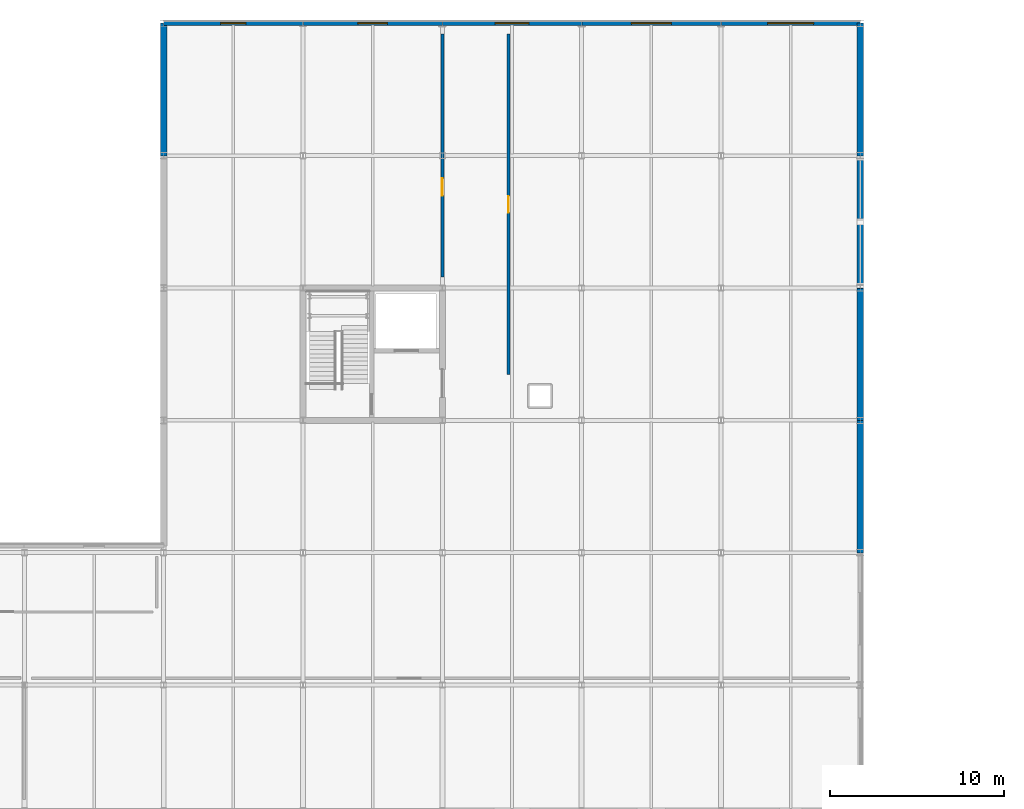
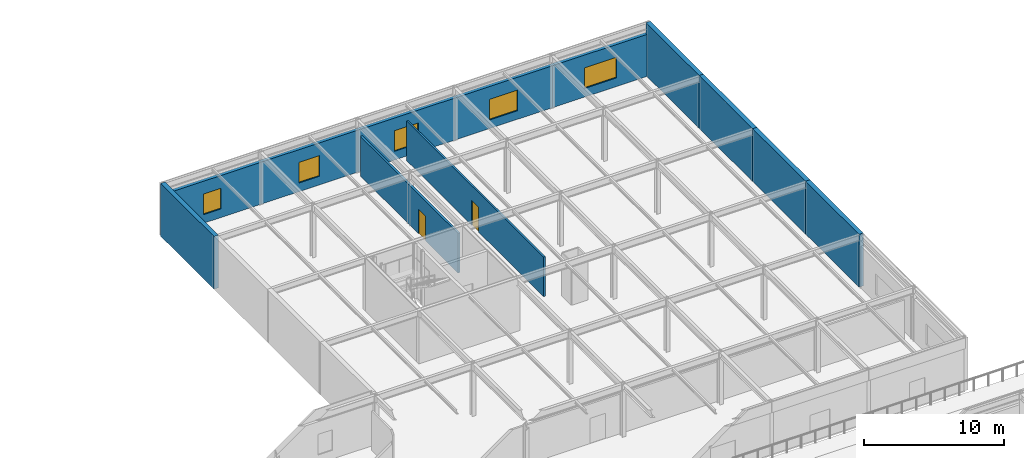
# One storey, part 87 of 100: 12 walls, 5 windows, 2 doors, 7 openings.
"""IFC4 building model written with IfcOpenShell, lengths in metres."""

from ifc_helpers import new_model, si_unit, direction, frame, frame_2d, origin, place, context, subcontext, project, spatial, rectangle, extrude, material, layer, layer_set, type_object, element, fill, save


model = new_model("IFC4")

# Units and contexts
model_context = context("Model", 3, precision=1e-05, world=origin(), true_north=direction((0.0, 1.0)))
body_context = subcontext(model_context, "Body", "Model", "MODEL_VIEW")
ifc_project = project(units=[si_unit("LENGTHUNIT", "METRE"), si_unit("AREAUNIT", "SQUARE_METRE"), si_unit("VOLUMEUNIT", "CUBIC_METRE"), si_unit("PLANEANGLEUNIT", "RADIAN"), si_unit("MASSUNIT", "GRAM", prefix="KILO")], contexts=[model_context])

# Site, building, storey
site_placement = place(None, origin())
site = spatial("IfcSite", under=ifc_project, at=site_placement, CompositionType="ELEMENT")
building_placement = place(site_placement, origin())
building = spatial("IfcBuilding", under=site, at=building_placement, Name="Zulena Civic Courthouse", CompositionType="ELEMENT")
storey_placement = place(building_placement, frame((0.0, 0.0, 20.39990234375)))
storey = spatial("IfcBuildingStorey", under=building, at=storey_placement, Name="L04", CompositionType="ELEMENT", Elevation=20.39990234375)

# Wall, opening, window
ifc_material_1 = material(Name="Buff architectural precast concrete C40/50", Category="concrete")
ifc_layer_1 = layer(ifc_material_1, 0.264892578125)
ifc_layer_set_1 = layer_set([ifc_layer_1], Name="Buff architectural precast concrete C40/50")
wall_type_1 = type_object("IfcWallType", Name="ExtWall_BuffPrecast_265", PredefinedType="STANDARD", material=ifc_layer_set_1)
wall_1_placement = place(storey_placement, frame((67.97998046875, 91.199951171875, 0.0), z_axis=(0.0, 0.0, 1.0), x_axis=(1.0, 0.0, 0.0)))
wall_1 = element("IfcWall", 1, at=wall_1_placement, inside=storey, type_object=wall_type_1, Name="ewall:V5:L04:3:0", PredefinedType="STANDARD", context=body_context, shape_type="SweptSolid", body=[
    extrude(rectangle(XDim=8.0400390625, YDim=0.264892578125, at=frame_2d((4.02001953125, 0.0))), origin(), (0.0, 0.0, 1.0), 3.66015625),
])
opening_1_placement = place(wall_1_placement, frame((3.294921875, 0.0, 0.75)))
opening_1 = element("IfcOpeningElement", 2, at=opening_1_placement, cuts=wall_1, Name="Opening WN17", PredefinedType="OPENING", context=body_context, shape_type="SweptSolid", body=[
    extrude(rectangle(XDim=1.449951171875, YDim=1.800048828125, at=frame_2d((0.72509765625, 0.89990234375))), frame((0.0, 0.142333984375, 0.0), z_axis=(0.0, -1.0, 0.0), x_axis=(1.0, 0.0, 0.0)), (0.0, 0.0, 1.0), 0.284912109375),
])
ifc_material_2 = material(Name="Double-silver low-E laminated solar-control glass", Category="glass")
window_type_1 = type_object("IfcWindowType", Name="Win_1450x1800", PartitioningType="SINGLE_PANEL", PredefinedType="WINDOW", material=ifc_material_2)
window_1_placement = place(opening_1_placement, origin())
window_1 = element("IfcWindow", 3, at=window_1_placement, inside=storey, type_object=window_type_1, Name="win:V5:L04:3:0", OverallHeight=1.800048828125, OverallWidth=1.449951171875, PartitioningType="SINGLE_PANEL", PredefinedType="WINDOW", context=body_context, shape_type="SweptSolid", body=[
    extrude(rectangle(XDim=1.449951171875, YDim=1.800048828125, at=frame_2d((0.72509765625, 0.89990234375))), frame((0.0, 0.030029296875, 0.0), z_axis=(0.0, -1.0, 0.0), x_axis=(1.0, 0.0, 0.0)), (0.0, 0.0, 1.0), 0.06005859375),
])
fill(opening_1, window_1)

wall_2_placement = place(storey_placement, frame((75.97998046875, 91.199951171875, 0.0), z_axis=(0.0, 0.0, 1.0), x_axis=(1.0, 0.0, 0.0)))
wall_2 = element("IfcWall", 4, at=wall_2_placement, inside=storey, type_object=wall_type_1, Name="ewall:V5:L04:3:1", PredefinedType="STANDARD", context=body_context, shape_type="SweptSolid", body=[
    extrude(rectangle(XDim=8.0400390625, YDim=0.264892578125, at=frame_2d((4.02001953125, 0.0))), origin(), (0.0, 0.0, 1.0), 3.66015625),
])
opening_2_placement = place(wall_2_placement, frame((3.169921875, 0.0, 0.75)))
opening_2 = element("IfcOpeningElement", 5, at=opening_2_placement, cuts=wall_2, Name="Opening WN18", PredefinedType="OPENING", context=body_context, shape_type="SweptSolid", body=[
    extrude(rectangle(XDim=1.699951171875, YDim=1.800048828125, at=frame_2d((0.85009765625, 0.89990234375))), frame((0.0, 0.142333984375, 0.0), z_axis=(0.0, -1.0, 0.0), x_axis=(1.0, 0.0, 0.0)), (0.0, 0.0, 1.0), 0.284912109375),
])
window_type_2 = type_object("IfcWindowType", Name="Win_1700x1800", PartitioningType="SINGLE_PANEL", PredefinedType="WINDOW", material=ifc_material_2)
window_2_placement = place(opening_2_placement, origin())
window_2 = element("IfcWindow", 6, at=window_2_placement, inside=storey, type_object=window_type_2, Name="win:V5:L04:3:1", OverallHeight=1.800048828125, OverallWidth=1.699951171875, PartitioningType="SINGLE_PANEL", PredefinedType="WINDOW", context=body_context, shape_type="SweptSolid", body=[
    extrude(rectangle(XDim=1.699951171875, YDim=1.800048828125, at=frame_2d((0.85009765625, 0.89990234375))), frame((0.0, 0.030029296875, 0.0), z_axis=(0.0, -1.0, 0.0), x_axis=(1.0, 0.0, 0.0)), (0.0, 0.0, 1.0), 0.06005859375),
])
fill(opening_2, window_2)

wall_3_placement = place(storey_placement, frame((83.97998046875, 91.199951171875, 0.0), z_axis=(0.0, 0.0, 1.0), x_axis=(1.0, 0.0, 0.0)))
wall_3 = element("IfcWall", 7, at=wall_3_placement, inside=storey, type_object=wall_type_1, Name="ewall:V5:L04:3:2", PredefinedType="STANDARD", context=body_context, shape_type="SweptSolid", body=[
    extrude(rectangle(XDim=8.0400390625, YDim=0.264892578125, at=frame_2d((4.02001953125, 0.0))), origin(), (0.0, 0.0, 1.0), 3.66015625),
])
opening_3_placement = place(wall_3_placement, frame((3.044921875, 0.0, 0.75)))
opening_3 = element("IfcOpeningElement", 8, at=opening_3_placement, cuts=wall_3, Name="Opening WN19", PredefinedType="OPENING", context=body_context, shape_type="SweptSolid", body=[
    extrude(rectangle(XDim=1.949951171875, YDim=1.800048828125, at=frame_2d((0.97509765625, 0.89990234375))), frame((0.0, 0.142333984375, 0.0), z_axis=(0.0, -1.0, 0.0), x_axis=(1.0, 0.0, 0.0)), (0.0, 0.0, 1.0), 0.284912109375),
])
window_type_3 = type_object("IfcWindowType", Name="Win_1950x1800", PartitioningType="DOUBLE_PANEL_VERTICAL", PredefinedType="WINDOW", material=ifc_material_2)
window_3_placement = place(opening_3_placement, origin())
window_3 = element("IfcWindow", 9, at=window_3_placement, inside=storey, type_object=window_type_3, Name="win:V5:L04:3:2", OverallHeight=1.800048828125, OverallWidth=1.949951171875, PartitioningType="SINGLE_PANEL", PredefinedType="WINDOW", context=body_context, shape_type="SweptSolid", body=[
    extrude(rectangle(XDim=1.949951171875, YDim=1.800048828125, at=frame_2d((0.97509765625, 0.89990234375))), frame((0.0, 0.030029296875, 0.0), z_axis=(0.0, -1.0, 0.0), x_axis=(1.0, 0.0, 0.0)), (0.0, 0.0, 1.0), 0.06005859375),
])
fill(opening_3, window_3)

wall_4_placement = place(storey_placement, frame((91.97998046875, 91.199951171875, 0.0), z_axis=(0.0, 0.0, 1.0), x_axis=(1.0, 0.0, 0.0)))
wall_4 = element("IfcWall", 10, at=wall_4_placement, inside=storey, type_object=wall_type_1, Name="ewall:V5:L04:3:3", PredefinedType="STANDARD", context=body_context, shape_type="SweptSolid", body=[
    extrude(rectangle(XDim=8.0400390625, YDim=0.264892578125, at=frame_2d((4.02001953125, 0.0))), origin(), (0.0, 0.0, 1.0), 3.66015625),
])
opening_4_placement = place(wall_4_placement, frame((2.8701171875, 0.0, 0.75)))
opening_4 = element("IfcOpeningElement", 11, at=opening_4_placement, cuts=wall_4, Name="Opening WN20", PredefinedType="OPENING", context=body_context, shape_type="SweptSolid", body=[
    extrude(rectangle(XDim=2.300048828125, YDim=1.800048828125, at=frame_2d((1.14990234375, 0.89990234375))), frame((0.0, 0.142333984375, 0.0), z_axis=(0.0, -1.0, 0.0), x_axis=(1.0, 0.0, 0.0)), (0.0, 0.0, 1.0), 0.284912109375),
])
window_type_4 = type_object("IfcWindowType", Name="Win_2300x1800", PartitioningType="DOUBLE_PANEL_VERTICAL", PredefinedType="WINDOW", material=ifc_material_2)
window_4_placement = place(opening_4_placement, origin())
window_4 = element("IfcWindow", 12, at=window_4_placement, inside=storey, type_object=window_type_4, Name="win:V5:L04:3:3", OverallHeight=1.800048828125, OverallWidth=2.300048828125, PartitioningType="SINGLE_PANEL", PredefinedType="WINDOW", context=body_context, shape_type="SweptSolid", body=[
    extrude(rectangle(XDim=2.300048828125, YDim=1.800048828125, at=frame_2d((1.14990234375, 0.89990234375))), frame((0.0, 0.030029296875, 0.0), z_axis=(0.0, -1.0, 0.0), x_axis=(1.0, 0.0, 0.0)), (0.0, 0.0, 1.0), 0.06005859375),
])
fill(opening_4, window_4)

wall_5_placement = place(storey_placement, frame((99.97998046875, 91.199951171875, 0.0), z_axis=(0.0, 0.0, 1.0), x_axis=(1.0, 0.0, 0.0)))
wall_5 = element("IfcWall", 13, at=wall_5_placement, inside=storey, type_object=wall_type_1, Name="ewall:V5:L04:3:4", PredefinedType="STANDARD", context=body_context, shape_type="SweptSolid", body=[
    extrude(rectangle(XDim=8.0400390625, YDim=0.264892578125, at=frame_2d((4.02001953125, 0.0))), origin(), (0.0, 0.0, 1.0), 3.66015625),
])
opening_5_placement = place(wall_5_placement, frame((2.695068359375, 0.0, 0.75)))
opening_5 = element("IfcOpeningElement", 14, at=opening_5_placement, cuts=wall_5, Name="Opening WN21", PredefinedType="OPENING", context=body_context, shape_type="SweptSolid", body=[
    extrude(rectangle(XDim=2.64990234375, YDim=1.800048828125, at=frame_2d((1.324951171875, 0.89990234375))), frame((0.0, 0.142333984375, 0.0), z_axis=(0.0, -1.0, 0.0), x_axis=(1.0, 0.0, 0.0)), (0.0, 0.0, 1.0), 0.284912109375),
])
window_type_5 = type_object("IfcWindowType", Name="Win_2650x1800", PartitioningType="DOUBLE_PANEL_VERTICAL", PredefinedType="WINDOW", material=ifc_material_2)
window_5_placement = place(opening_5_placement, origin())
window_5 = element("IfcWindow", 15, at=window_5_placement, inside=storey, type_object=window_type_5, Name="win:V5:L04:3:4", OverallHeight=1.800048828125, OverallWidth=2.64990234375, PartitioningType="SINGLE_PANEL", PredefinedType="WINDOW", context=body_context, shape_type="SweptSolid", body=[
    extrude(rectangle(XDim=2.64990234375, YDim=1.800048828125, at=frame_2d((1.324951171875, 0.89990234375))), frame((0.0, 0.030029296875, 0.0), z_axis=(0.0, -1.0, 0.0), x_axis=(1.0, 0.0, 0.0)), (0.0, 0.0, 1.0), 0.06005859375),
])
fill(opening_5, window_5)

# Walls
ifc_material_3 = material(Name="Concrete C40/50", Category="concrete")
ifc_layer_2 = layer(ifc_material_3, 0.360107421875)
ifc_layer_set_2 = layer_set([ifc_layer_2], Name="Concrete C40/50")
wall_type_2 = type_object("IfcWallType", Name="ExtWall_PartyWall_360", PredefinedType="STANDARD", material=ifc_layer_set_2)
for number, where, z_axis, x_axis, name in (
    (16, (68.0, 83.580078125, 0.0), (0.0, 0.0, 1.0), (0.0, 1.0, 0.0), "ewall:V5:L04:2:3"),
    (17, (108.0, 91.219970703125, 0.0), (0.0, 0.0, 1.0), (0.0, -1.0, 0.0), "ewall:V5:L04:4:0"),
):
    element("IfcWall", number, at=place(storey_placement, frame(where, z_axis=z_axis, x_axis=x_axis)), inside=storey, type_object=wall_type_2, Name=name, PredefinedType="STANDARD", context=body_context, shape_type="SweptSolid", body=[
        extrude(rectangle(XDim=7.639892578125, YDim=0.360107421875, at=frame_2d((3.81982421875, 0.0))), origin(), (0.0, 0.0, 1.0), 4.60009765625),
    ])
for number, where, z_axis, x_axis, name in (
    (18, (108.0, 83.6201171875, 0.0), (0.0, 0.0, 1.0), (0.0, -1.0, 0.0), "ewall:V5:L04:4:1"),
    (19, (108.0, 76.02001953125, 0.0), (0.0, 0.0, 1.0), (0.0, -1.0, 0.0), "ewall:V5:L04:4:2"),
):
    element("IfcWall", number, at=place(storey_placement, frame(where, z_axis=z_axis, x_axis=x_axis)), inside=storey, type_object=wall_type_2, Name=name, PredefinedType="STANDARD", context=body_context, shape_type="SweptSolid", body=[
        extrude(rectangle(XDim=7.64013671875, YDim=0.360107421875, at=frame_2d((3.820068359375, 0.0))), origin(), (0.0, 0.0, 1.0), 4.60009765625),
    ])
wall_6_placement = place(storey_placement, frame((108.0, 68.419921875, 0.0), z_axis=(0.0, 0.0, 1.0), x_axis=(0.0, -1.0, 0.0)))
element("IfcWall", 20, at=wall_6_placement, inside=storey, type_object=wall_type_2, Name="ewall:V5:L04:4:3", PredefinedType="STANDARD", context=body_context, shape_type="SweptSolid", body=[
    extrude(rectangle(XDim=7.639892578125, YDim=0.360107421875, at=frame_2d((3.81982421875, 0.0))), origin(), (0.0, 0.0, 1.0), 4.60009765625),
])

# Wall, opening, door
ifc_material_4 = material(Name="Acoustic fire-rated gypsum board assembly", Category="masonry")
ifc_layer_3 = layer(ifc_material_4, 0.14599609375)
ifc_layer_set_3 = layer_set([ifc_layer_3], Name="Acoustic fire-rated gypsum board assembly")
wall_type_3 = type_object("IfcWallType", Name="PartWall_Chambers_146", PredefinedType="PARTITIONING", material=ifc_layer_set_3)
wall_7_placement = place(storey_placement, frame((87.800048828125, 71.02001953125, 0.0), z_axis=(0.0, 0.0, 1.0), x_axis=(0.0, 1.0, 0.0)))
wall_7 = element("IfcWall", 21, at=wall_7_placement, inside=storey, type_object=wall_type_3, Name="pwall:L04:409:0", PredefinedType="PARTITIONING", context=body_context, shape_type="SweptSolid", body=[
    extrude(rectangle(XDim=19.56005859375, YDim=0.14599609375, at=frame_2d((9.780029296875, 0.0))), origin(), (0.0, 0.0, 1.0), 3.4501953125),
])
opening_6_placement = place(wall_7_placement, frame((9.304931640625, 0.0, 0.0)))
opening_6 = element("IfcOpeningElement", 22, at=opening_6_placement, cuts=wall_7, Name="Opening ID23", PredefinedType="OPENING", context=body_context, shape_type="SweptSolid", body=[
    extrude(rectangle(XDim=0.949951171875, YDim=2.14990234375, at=frame_2d((0.47509765625, 1.074951171875))), frame((0.0, 0.0830078125, 0.0), z_axis=(0.0, -1.0, 0.0), x_axis=(1.0, 0.0, 0.0)), (0.0, 0.0, 1.0), 0.166015625),
])
ifc_material_5 = material(Name="Solid-core acoustic hardwood timber", Category="wood")
door_type_1 = type_object("IfcDoorType", Name="IntDoor_Restroom_950x2150", OperationType="NOTDEFINED", PredefinedType="DOOR", material=ifc_material_5)
door_1_placement = place(opening_6_placement, origin())
door_1 = element("IfcDoor", 23, at=door_1_placement, inside=storey, type_object=door_type_1, Name="door:rm:L04:409", OperationType="SINGLE_SWING_RIGHT", OverallHeight=2.14990234375, OverallWidth=0.949951171875, PredefinedType="DOOR", context=body_context, shape_type="SweptSolid", body=[
    extrude(rectangle(XDim=0.949951171875, YDim=2.14990234375, at=frame_2d((0.47509765625, 1.074951171875))), frame((0.0, 0.02490234375, 0.0), z_axis=(0.0, -1.0, 0.0), x_axis=(1.0, 0.0, 0.0)), (0.0, 0.0, 1.0), 0.050048828125),
])
fill(opening_6, door_1)

ifc_layer_4 = layer(ifc_material_4, 0.177978515625)
ifc_layer_set_4 = layer_set([ifc_layer_4], Name="Acoustic fire-rated gypsum board assembly")
wall_type_4 = type_object("IfcWallType", Name="PartWall_Corridor_178", PredefinedType="PARTITIONING", material=ifc_layer_set_4)
wall_8_placement = place(storey_placement, frame((84.0, 76.6201171875, 0.0), z_axis=(0.0, 0.0, 1.0), x_axis=(0.0, 1.0, 0.0)))
wall_8 = element("IfcWall", 24, at=wall_8_placement, inside=storey, type_object=wall_type_4, Name="pwall:L04:410:0", PredefinedType="PARTITIONING", context=body_context, shape_type="SweptSolid", body=[
    extrude(rectangle(XDim=13.9599609375, YDim=0.177978515625, at=frame_2d((6.97998046875, 0.0))), origin(), (0.0, 0.0, 1.0), 3.4501953125),
])
opening_7_placement = place(wall_8_placement, frame((4.679931640625, 0.0, 0.0)))
opening_7 = element("IfcOpeningElement", 25, at=opening_7_placement, cuts=wall_8, Name="Opening ID24", PredefinedType="OPENING", context=body_context, shape_type="SweptSolid", body=[
    extrude(rectangle(XDim=1.0, YDim=2.14990234375, at=frame_2d((0.5, 1.074951171875))), frame((0.0, 0.098876953125, 0.0), z_axis=(0.0, -1.0, 0.0), x_axis=(1.0, 0.0, 0.0)), (0.0, 0.0, 1.0), 0.197998046875),
])
door_type_2 = type_object("IfcDoorType", Name="IntDoor_AccWC_1000x2150", OperationType="NOTDEFINED", PredefinedType="DOOR", material=ifc_material_5)
door_2_placement = place(opening_7_placement, origin())
door_2 = element("IfcDoor", 26, at=door_2_placement, inside=storey, type_object=door_type_2, Name="door:rm:L04:410", OperationType="SINGLE_SWING_LEFT", OverallHeight=2.14990234375, OverallWidth=1.0, PredefinedType="DOOR", context=body_context, shape_type="SweptSolid", body=[
    extrude(rectangle(XDim=1.0, YDim=2.14990234375, at=frame_2d((0.5, 1.074951171875))), frame((0.0, 0.02490234375, 0.0), z_axis=(0.0, -1.0, 0.0), x_axis=(1.0, 0.0, 0.0)), (0.0, 0.0, 1.0), 0.050048828125),
])
fill(opening_7, door_2)

save(model, "model.ifc")
